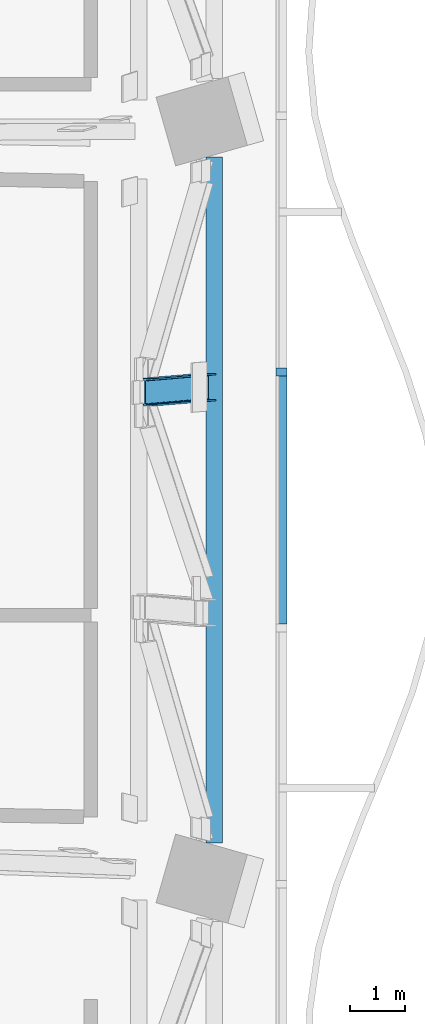
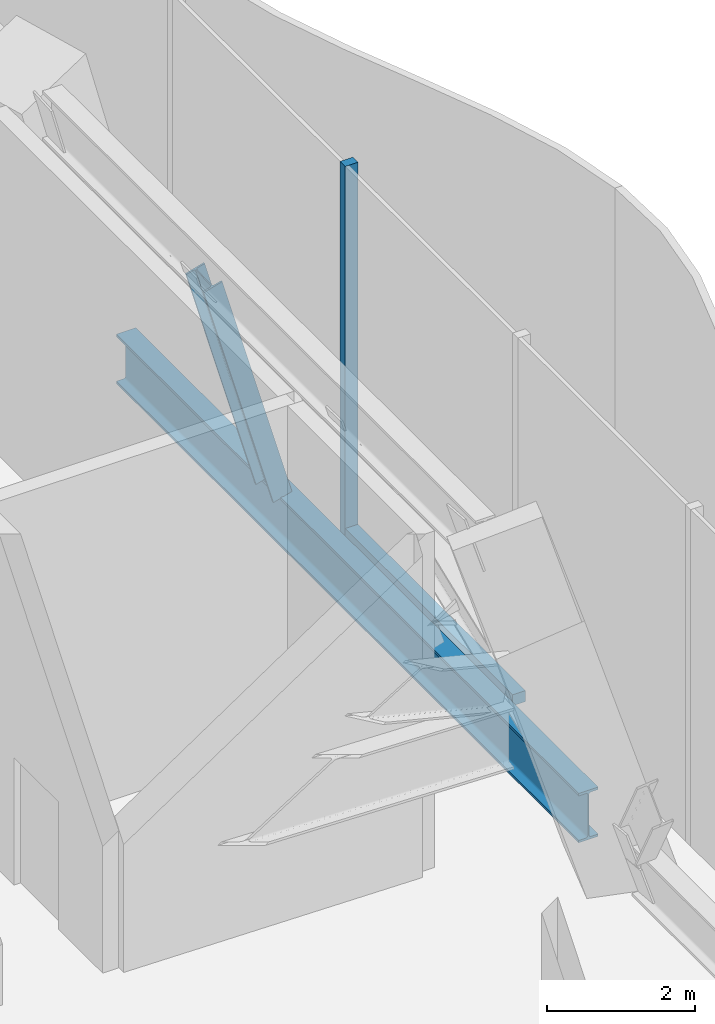
# One storey, part 5 of 32: 4 members, 1 element without a shape of its own.
"""IFC4 building model written with IfcOpenShell, lengths in metres."""

import ifcopenshell
import ifcopenshell.guid

model = None  # the IFC model being written
_history = None  # IfcOwnerHistory: only IFC2X3 demands one
_inside = {}  # id of a spatial element -> (the spatial element, [elements in it])
_under = {}  # id of a project, library or spatial element -> (it, [spatial elements below it])
_declared = {}  # id of a project -> (the project, [libraries it declares])
_typed = {}  # id of a type object -> (the type object, [elements of that type])
_made_of = {}  # id of a material, layer set ... -> (it, [elements and type objects made of it])


def new_model(schema):
    """Start an empty IFC model of exactly this schema.

    Asked for "IFC4X3", IfcOpenShell would pick the latest addendum, in which some entities
    have other attributes; the version numbers below select the first issue.
    IFC2X3 requires an IfcOwnerHistory on every rooted entity: one is made here for all.
    """
    global model, _history
    if schema == "IFC4X3":
        model = ifcopenshell.file(schema_version=(4, 3, 0, 0))
    else:
        model = ifcopenshell.file(schema=schema)
    _inside.clear()
    _under.clear()
    _declared.clear()
    _typed.clear()
    _made_of.clear()
    _history = None
    if model.schema == "IFC2X3":
        org = make("IfcOrganization", Name="unknown")
        user = make(
            "IfcPersonAndOrganization",
            ThePerson=make("IfcPerson", FamilyName="unknown"),
            TheOrganization=org,
        )
        app = make(
            "IfcApplication",
            ApplicationDeveloper=org,
            Version="unknown",
            ApplicationFullName="unknown",
            ApplicationIdentifier="unknown",
        )
        _history = make(
            "IfcOwnerHistory",
            OwningUser=user,
            OwningApplication=app,
            ChangeAction="ADDED",
            CreationDate=0,
        )
    return model


def make(cls, **values):
    """One entity of the class cls with the attributes given. An attribute that is None is left unset."""
    return model.create_entity(
        cls, **{name: value for name, value in values.items() if value is not None}
    )


def rooted(cls, **values):
    """An entity with a GlobalId (a new one), such as an element, a storey or a relation."""
    return make(cls, GlobalId=ifcopenshell.guid.new(), OwnerHistory=_history, **values)


def si_unit(unit_type, name, prefix=None):
    """IfcSIUnit, for example si_unit("LENGTHUNIT", "METRE", prefix="MILLI")."""
    return make("IfcSIUnit", UnitType=unit_type, Prefix=prefix, Name=name)


def assignment(units):
    """IfcUnitAssignment: the units of a project."""
    return None if units is None else make("IfcUnitAssignment", Units=units)


def point(xyz):
    """IfcCartesianPoint."""
    return None if xyz is None else make("IfcCartesianPoint", Coordinates=xyz)


def direction(xyz):
    """IfcDirection."""
    return None if xyz is None else make("IfcDirection", DirectionRatios=xyz)


def frame(location, z_axis=None, x_axis=None):
    """IfcAxis2Placement3D, a coordinate frame: its origin and axes. An axis left out is left unset."""
    return make(
        "IfcAxis2Placement3D",
        Location=point(location),
        Axis=direction(z_axis),
        RefDirection=direction(x_axis),
    )


def frame_2d(location, x_axis=None):
    """IfcAxis2Placement2D, a coordinate frame in the plane: its origin and x axis."""
    return make(
        "IfcAxis2Placement2D", Location=point(location), RefDirection=direction(x_axis)
    )


def origin():
    """The frame at (0, 0, 0) with its axes left unset."""
    return frame((0.0, 0.0, 0.0))


def origin_2d():
    """The frame at (0, 0) in the plane with its x axis left unset."""
    return frame_2d((0.0, 0.0))


def place(relative_to, where):
    """IfcLocalPlacement: puts the frame where relative to a parent placement (None: the world)."""
    return make(
        "IfcLocalPlacement", PlacementRelTo=relative_to, RelativePlacement=where
    )


def context(
    kind, dimensions, precision=None, world=None, true_north=None, identifier=None
):
    """IfcGeometricRepresentationContext, for example the 3D "Model" context."""
    return make(
        "IfcGeometricRepresentationContext",
        ContextIdentifier=identifier,
        ContextType=kind,
        CoordinateSpaceDimension=dimensions,
        Precision=precision,
        WorldCoordinateSystem=world,
        TrueNorth=true_north,
    )


def subcontext(parent, identifier, kind, view, scale=None):
    """IfcGeometricRepresentationSubContext, for example "Body" below "Model"."""
    return make(
        "IfcGeometricRepresentationSubContext",
        ContextIdentifier=identifier,
        ContextType=kind,
        ParentContext=parent,
        TargetScale=scale,
        TargetView=view,
    )


def project(units=None, contexts=None):
    """IfcProject with its units and contexts."""
    return rooted(
        "IfcProject",
        Name="project",
        RepresentationContexts=contexts,
        UnitsInContext=assignment(units),
    )


def spatial(cls, under=None, at=None, **own):
    """A site, building, storey or space (cls), placed at a placement, below another one or the project."""
    s = rooted(cls, ObjectPlacement=at, **own)
    if under is not None:
        _under.setdefault(under.id(), (under, []))[1].append(s)
    return s


def profile(cls, at=None, kind="AREA", **sizes):
    """A parametric profile (cls). Its sizes go by their IFC names, for example OverallWidth=200.0."""
    return make(cls, ProfileType=kind, Position=at, **sizes)


def rectangle(**sizes):
    """IfcRectangleProfileDef."""
    return profile("IfcRectangleProfileDef", **sizes)


def i_section(**sizes):
    """IfcIShapeProfileDef."""
    return profile("IfcIShapeProfileDef", **sizes)


def extrude(swept, where, along, depth):
    """IfcExtrudedAreaSolid: the profile swept, set in the frame where, extruded along a direction by depth."""
    return make(
        "IfcExtrudedAreaSolid",
        SweptArea=swept,
        Position=where,
        ExtrudedDirection=direction(along),
        Depth=depth,
    )


def shape(context_of_items, identifier, shape_type, items):
    """IfcShapeRepresentation: the items that make up one representation, for example the "Body"."""
    return make(
        "IfcShapeRepresentation",
        ContextOfItems=context_of_items,
        RepresentationIdentifier=identifier,
        RepresentationType=shape_type,
        Items=items,
    )


def material(Name=None, Category=None):
    """IfcMaterial."""
    return make("IfcMaterial", Name=Name, Category=Category)


def material_profile(
    of_material, cross_section, Name=None, Category=None, Priority=None
):
    """IfcMaterialProfile: a cross section and its material."""
    return make(
        "IfcMaterialProfile",
        Name=Name,
        Material=of_material,
        Profile=cross_section,
        Priority=Priority,
        Category=Category,
    )


def profile_set(profiles, Name=None, composite=None):
    """IfcMaterialProfileSet."""
    return make(
        "IfcMaterialProfileSet",
        Name=Name,
        MaterialProfiles=profiles,
        CompositeProfile=composite,
    )


def made_of(thing, what):
    """Note that an element or type object is made of a material, layer set ...; save() writes the relation."""
    if what is not None:
        _made_of.setdefault(what.id(), (what, []))[1].append(thing)
    return thing


def type_object(cls, material=None, **own):
    """A type object (cls), such as IfcWallType, which elements share."""
    return made_of(rooted(cls, **own), material)


def element(
    cls,
    number,
    at=None,
    inside=None,
    cuts=None,
    type_object=None,
    material=None,
    context=None,
    identifier="Body",
    shape_type=None,
    held_by="IfcProductDefinitionShape",
    body=None,
    shapes=None,
    **own,
):
    """One element of the class cls, such as IfcWall. Its Tag is "e" and its number.

    at: its placement. inside: the storey or other place that contains it. cuts: it is an
    opening in that element (IfcRelVoidsElement). A single representation is given by context,
    identifier, shape_type and body (its items); several are given by shapes. held_by: the class
    of the entity that holds the representations. save() writes the other relations.
    """
    e = rooted(cls, Tag="e%d" % number, ObjectPlacement=at, **own)
    if body is not None:
        shapes = [shape(context, identifier, shape_type, body)]
    if shapes is not None:
        e.Representation = make(held_by, Representations=shapes)
    if inside is not None:
        _inside.setdefault(inside.id(), (inside, []))[1].append(e)
    if cuts is not None:
        rooted(
            "IfcRelVoidsElement", RelatingBuildingElement=cuts, RelatedOpeningElement=e
        )
    if type_object is not None:
        _typed.setdefault(type_object.id(), (type_object, []))[1].append(e)
    return made_of(e, material)


def aggregate(whole, parts):
    """IfcRelAggregates: a whole, such as a stair, and the parts it consists of."""
    return rooted("IfcRelAggregates", RelatingObject=whole, RelatedObjects=parts)


def save(model, path):
    """Write the relations noted so far, then the file.

    IfcRelAggregates (storeys below a building ...), IfcRelContainedInSpatialStructure (elements
    in a storey), IfcRelDefinesByType, IfcRelAssociatesMaterial and IfcRelDeclares: one each for
    every whole, place, type object, material and project.
    """
    for whole, parts in _under.values():
        aggregate(whole, parts)
    for where, things in _inside.values():
        rooted(
            "IfcRelContainedInSpatialStructure",
            RelatedElements=things,
            RelatingStructure=where,
        )
    for kind, things in _typed.values():
        rooted("IfcRelDefinesByType", RelatedObjects=things, RelatingType=kind)
    for what, things in _made_of.values():
        rooted("IfcRelAssociatesMaterial", RelatedObjects=things, RelatingMaterial=what)
    for by, libraries in _declared.values():
        rooted("IfcRelDeclares", RelatingContext=by, RelatedDefinitions=libraries)
    model.write(path)


model = new_model("IFC4")

# Units and contexts
model_context = context("Model", 3, precision=1e-05, world=origin(), true_north=direction((0.0, 1.0)))
body_context = subcontext(model_context, "Body", "Model", "MODEL_VIEW")
ifc_project = project(units=[si_unit("LENGTHUNIT", "METRE"), si_unit("AREAUNIT", "SQUARE_METRE"), si_unit("VOLUMEUNIT", "CUBIC_METRE"), si_unit("PLANEANGLEUNIT", "RADIAN"), si_unit("MASSUNIT", "GRAM", prefix="KILO")], contexts=[model_context])

# Site, building, storey
site_placement = place(None, origin())
site = spatial("IfcSite", under=ifc_project, at=site_placement, CompositionType="ELEMENT")
building_placement = place(site_placement, origin())
building = spatial("IfcBuilding", under=site, at=building_placement, Name="Mopane Tessera Tower", CompositionType="ELEMENT")
storey_placement = place(building_placement, frame((0.0, 0.0, 88.60009765625)))
storey = spatial("IfcBuildingStorey", under=building, at=storey_placement, Name="L17", CompositionType="ELEMENT", Elevation=88.60009765625)

# Curtain wall, members
ifc_material_1 = material(Name="Aluminium frame", Category="aluminium")
curtain_wall_type = type_object("IfcCurtainWallType", Name="Plant floor unitised wall", PredefinedType="NOTDEFINED", material=ifc_material_1)
curtain_wall_placement = place(storey_placement, origin())
curtain_wall = element("IfcCurtainWall", 1, at=curtain_wall_placement, inside=storey, type_object=curtain_wall_type, Name="e:cw:L17:E:0", PredefinedType="NOTDEFINED")
ifc_material_2 = material(Name="Aluminium frame", Category="aluminium")
ifc_material_profile_1 = material_profile(ifc_material_2, rectangle(XDim=0.139892578125, YDim=0.199951171875, at=origin_2d()))
ifc_profile_set_1 = profile_set([ifc_material_profile_1], Name="Aluminium frame")
member_type_1 = type_object("IfcMemberType", Name="Aluminium mullion 140 x 200", PredefinedType="MULLION", material=ifc_profile_set_1)
member_1_placement = place(storey_placement, frame((30.89990234375, 2.333251953125, -0.60009765625), z_axis=(0.0, 0.0, 1.0), x_axis=(0.0, 1.0, 0.0)))
member_1 = element("IfcMember", 2, at=member_1_placement, type_object=member_type_1, Name="e:cw:L17:E:0:mu5", PredefinedType="MULLION", context=body_context, shape_type="SweptSolid", body=[
    extrude(rectangle(XDim=0.139892578125, YDim=0.199951171875, at=origin_2d()), origin(), (0.0, 0.0, 1.0), 6.14990234375),
])
ifc_material_3 = material(Name="Aluminium frame", Category="aluminium")
ifc_material_profile_2 = material_profile(ifc_material_3, rectangle(XDim=0.199951171875, YDim=0.179931640625, at=origin_2d()))
ifc_profile_set_2 = profile_set([ifc_material_profile_2], Name="Aluminium frame")
member_type_2 = type_object("IfcMemberType", Name="Aluminium transom 200 x 180", PredefinedType="USERDEFINED", material=ifc_profile_set_2)
member_2_placement = place(storey_placement, frame((30.89990234375, -2.263427734375, -0.510009765625), z_axis=(0.0, 1.0, 0.0), x_axis=(-1.0, 0.0, 0.0)))
member_2 = element("IfcMember", 3, at=member_2_placement, type_object=member_type_2, Name="e:cw:L17:E:0:tr4", ObjectType="TRANSOM", PredefinedType="USERDEFINED", context=body_context, shape_type="SweptSolid", body=[
    extrude(rectangle(XDim=0.199951171875, YDim=0.179931640625, at=origin_2d()), origin(), (0.0, 0.0, 1.0), 4.52685546875),
])
aggregate(curtain_wall, [member_1, member_2])

# Members
ifc_material_4 = material(Name="Structural steel S460", Category="steel")
ifc_material_profile_3 = material_profile(ifc_material_4, i_section(OverallWidth=0.302978515625, OverallDepth=0.81396484375, WebThickness=0.02099609375, FlangeThickness=0.0400390625, FilletRadius=0.030029296875, at=origin_2d()))
ifc_profile_set_3 = profile_set([ifc_material_profile_3], Name="Structural steel S460")
member_type_3 = type_object("IfcMemberType", Name="Belt truss chord HE 800 M", PredefinedType="CHORD", material=ifc_profile_set_3)
member_3_placement = place(storey_placement, frame((29.681396484375, -6.247314453125, 0.406982421875), z_axis=(0.0, 1.0, 0.0), x_axis=(-1.0, 0.0, 0.0)))
element("IfcMember", 4, at=member_3_placement, inside=storey, type_object=member_type_3, Name="Belt truss bottom chord L17 E1-E2", PredefinedType="CHORD", context=body_context, shape_type="SweptSolid", body=[
    extrude(i_section(OverallWidth=0.302978515625, OverallDepth=0.81396484375, WebThickness=0.02099609375, FlangeThickness=0.0400390625, FilletRadius=0.030029296875, at=origin_2d()), origin(), (0.0, 0.0, 1.0), 12.49462890625),
])
ifc_material_5 = material(Name="Structural steel S460", Category="steel")
ifc_material_profile_4 = material_profile(ifc_material_5, i_section(OverallWidth=0.300048828125, OverallDepth=0.5, WebThickness=0.014404296875, FlangeThickness=0.028076171875, FilletRadius=0.027099609375, at=origin_2d()))
ifc_profile_set_4 = profile_set([ifc_material_profile_4], Name="Structural steel S460")
member_type_4 = type_object("IfcMemberType", Name="Belt truss post HE 500 B", PredefinedType="POST", material=ifc_profile_set_4)
member_4_placement = place(storey_placement, frame((29.562744140625, 2.057861328125, 0.81396484375), z_axis=(-0.279957937948, -0.023718160769, 0.959719230728), x_axis=(-0.960012261999, 0.007019712455, -0.279869934878)))
element("IfcMember", 5, at=member_4_placement, inside=storey, type_object=member_type_4, Name="Belt truss post 2 L17 E1-E2", PredefinedType="POST", context=body_context, shape_type="SweptSolid", body=[
    extrude(i_section(OverallWidth=0.300048828125, OverallDepth=0.5, WebThickness=0.014404296875, FlangeThickness=0.028076171875, FilletRadius=0.027099609375, at=origin_2d()), origin(), (0.0, 0.0, 1.0), 4.08642578125),
])

save(model, "model.ifc")
